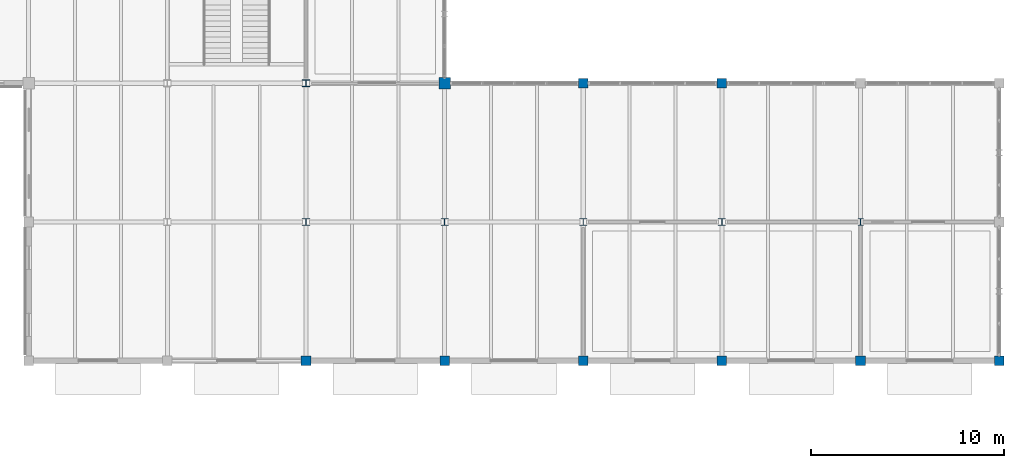
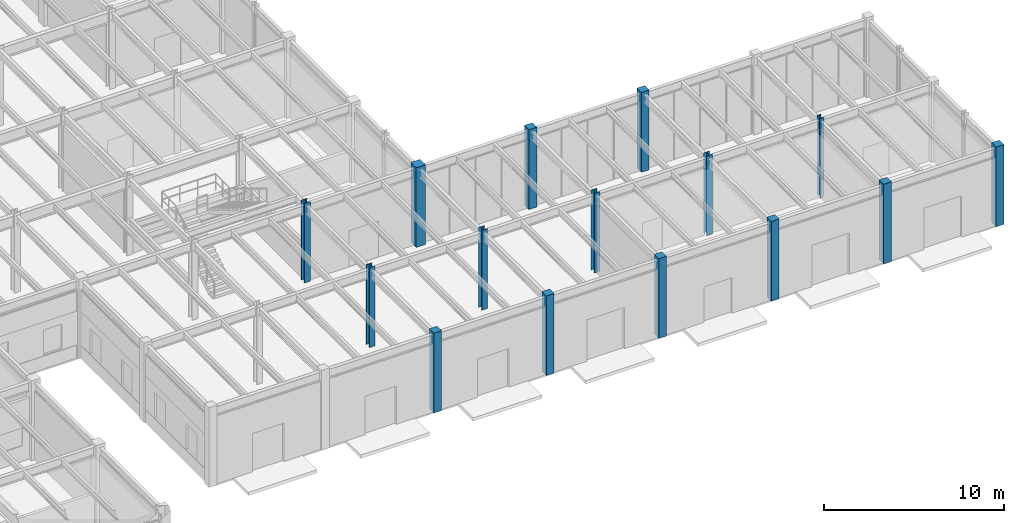
# One storey, part 15 of 97: 15 columns.
"""IFC4 building model written with IfcOpenShell, lengths in metres."""

from ifc_helpers import new_model, si_unit, direction, frame, origin, origin_2d, place, context, subcontext, project, spatial, rectangle, i_section, extrude, material, material_profile, profile_set, type_object, element, save


model = new_model("IFC4")

# Units and contexts
model_context = context("Model", 3, precision=1e-05, world=origin(), true_north=direction((0.0, 1.0)))
body_context = subcontext(model_context, "Body", "Model", "MODEL_VIEW")
ifc_project = project(units=[si_unit("LENGTHUNIT", "METRE"), si_unit("AREAUNIT", "SQUARE_METRE"), si_unit("VOLUMEUNIT", "CUBIC_METRE"), si_unit("PLANEANGLEUNIT", "RADIAN"), si_unit("MASSUNIT", "GRAM", prefix="KILO")], contexts=[model_context])

# Site, building, storey
site_placement = place(None, origin())
site = spatial("IfcSite", under=ifc_project, at=site_placement, CompositionType="ELEMENT")
building_placement = place(site_placement, origin())
building = spatial("IfcBuilding", under=site, at=building_placement, Name="Sillqori Civic Hall", CompositionType="ELEMENT")
storey_placement = place(building_placement, origin())
storey = spatial("IfcBuildingStorey", under=building, at=storey_placement, Name="L01", CompositionType="ELEMENT", Elevation=0.0)

# Columns
ifc_material_1 = material(Name="Concrete C35/45 (H35)", Category="concrete")
ifc_material_profile_1 = material_profile(ifc_material_1, rectangle(XDim=0.5, YDim=0.5, at=origin_2d()), Name="RC 500x500")
ifc_profile_set_1 = profile_set([ifc_material_profile_1], Name="Concrete C35/45 (H35)")
column_type_1 = type_object("IfcColumnType", Name="COL-RC500", PredefinedType="COLUMN", material=ifc_profile_set_1)
for number, where, z_axis, x_axis, name in (
    (1, (136.800048828125, 14.39990234375, 0.0), (0.0, 0.0, 1.0), (1.0, 0.0, 0.0), "L01 column 19-2"),
    (2, (144.0, 14.39990234375, 0.0), (0.0, 0.0, 1.0), (1.0, 0.0, 0.0), "L01 column 20-2"),
    (3, (151.199951171875, 14.39990234375, 0.0), (0.0, 0.0, 1.0), (1.0, 0.0, 0.0), "L01 column 21-2"),
    (4, (151.199951171875, 28.800048828125, 0.0), (0.0, 0.0, 1.0), (1.0, 0.0, 0.0), "L01 column 21-4"),
    (5, (158.39990234375, 14.39990234375, 0.0), (0.0, 0.0, 1.0), (1.0, 0.0, 0.0), "L01 column 22-2"),
    (6, (158.39990234375, 28.800048828125, 0.0), (0.0, 0.0, 1.0), (1.0, 0.0, 0.0), "L01 column 22-4"),
    (7, (165.60009765625, 14.39990234375, 0.0), (0.0, 0.0, 1.0), (1.0, 0.0, 0.0), "L01 column 23-2"),
    (8, (172.800048828125, 14.39990234375, 0.0), (0.0, 0.0, 1.0), (1.0, 0.0, 0.0), "L01 column 24-2"),
):
    element("IfcColumn", number, at=place(storey_placement, frame(where, z_axis=z_axis, x_axis=x_axis)), inside=storey, type_object=column_type_1, Name=name, PredefinedType="COLUMN", context=body_context, shape_type="SweptSolid", body=[
        extrude(rectangle(XDim=0.5, YDim=0.5, at=origin_2d()), origin(), (0.0, 0.0, 1.0), 5.39990234375),
    ])
ifc_material_profile_2 = material_profile(ifc_material_1, rectangle(XDim=0.60009765625, YDim=0.60009765625, at=origin_2d()), Name="RC 600x600")
ifc_profile_set_2 = profile_set([ifc_material_profile_2], Name="Concrete C35/45 (H35)")
column_type_2 = type_object("IfcColumnType", Name="COL-RC600", PredefinedType="COLUMN", material=ifc_profile_set_2)
column_1_placement = place(storey_placement, frame((144.0, 28.800048828125, 0.0), z_axis=(0.0, 0.0, 1.0), x_axis=(1.0, 0.0, 0.0)))
element("IfcColumn", 9, at=column_1_placement, inside=storey, type_object=column_type_2, Name="L01 column 20-4", PredefinedType="COLUMN", context=body_context, shape_type="SweptSolid", body=[
    extrude(rectangle(XDim=0.60009765625, YDim=0.60009765625, at=origin_2d()), origin(), (0.0, 0.0, 1.0), 5.39990234375),
])
ifc_material_2 = material(Name="Steel ASTM A992", Category="steel")
ifc_material_profile_3 = material_profile(ifc_material_2, i_section(OverallWidth=0.373046875, OverallDepth=0.367919921875, WebThickness=0.014892578125, FlangeThickness=0.02392578125, FilletRadius=0.014892578125, at=origin_2d()), Name="W14X120")
ifc_profile_set_3 = profile_set([ifc_material_profile_3], Name="Steel ASTM A992")
column_type_3 = type_object("IfcColumnType", Name="COL-W14X120", PredefinedType="COLUMN", material=ifc_profile_set_3)
column_2_placement = place(storey_placement, frame((136.800048828125, 28.800048828125, 0.0), z_axis=(0.0, 0.0, 1.0), x_axis=(1.0, 0.0, 0.0)))
element("IfcColumn", 10, at=column_2_placement, inside=storey, type_object=column_type_3, Name="L01 column 19-4", PredefinedType="COLUMN", context=body_context, shape_type="SweptSolid", body=[
    extrude(i_section(OverallWidth=0.373046875, OverallDepth=0.367919921875, WebThickness=0.014892578125, FlangeThickness=0.02392578125, FilletRadius=0.014892578125, at=origin_2d()), origin(), (0.0, 0.0, 1.0), 5.39990234375),
])
ifc_material_profile_4 = material_profile(ifc_material_2, i_section(OverallWidth=0.257080078125, OverallDepth=0.363037109375, WebThickness=0.012939453125, FlangeThickness=0.021728515625, FilletRadius=0.014892578125, at=origin_2d()), Name="W14X82")
ifc_profile_set_4 = profile_set([ifc_material_profile_4], Name="Steel ASTM A992")
column_type_4 = type_object("IfcColumnType", Name="COL-W14X82", PredefinedType="COLUMN", material=ifc_profile_set_4)
column_3_placement = place(storey_placement, frame((165.60009765625, 21.60009765625, 0.0), z_axis=(0.0, 0.0, 1.0), x_axis=(1.0, 0.0, 0.0)))
element("IfcColumn", 11, at=column_3_placement, inside=storey, type_object=column_type_4, Name="L01 column 23-3", PredefinedType="COLUMN", context=body_context, shape_type="SweptSolid", body=[
    extrude(i_section(OverallWidth=0.257080078125, OverallDepth=0.363037109375, WebThickness=0.012939453125, FlangeThickness=0.021728515625, FilletRadius=0.014892578125, at=origin_2d()), origin(), (0.0, 0.0, 1.0), 5.39990234375),
])
ifc_material_profile_5 = material_profile(ifc_material_2, i_section(OverallWidth=0.37109375, OverallDepth=0.361083984375, WebThickness=0.012451171875, FlangeThickness=0.019775390625, FilletRadius=0.014892578125, at=origin_2d()), Name="W14X99")
ifc_profile_set_5 = profile_set([ifc_material_profile_5], Name="Steel ASTM A992")
column_type_5 = type_object("IfcColumnType", Name="COL-W14X99", PredefinedType="COLUMN", material=ifc_profile_set_5)
for number, where, z_axis, x_axis, name in (
    (12, (136.800048828125, 21.60009765625, 0.0), (0.0, 0.0, 1.0), (1.0, 0.0, 0.0), "L01 column 19-3"),
    (13, (144.0, 21.60009765625, 0.0), (0.0, 0.0, 1.0), (1.0, 0.0, 0.0), "L01 column 20-3"),
    (14, (151.199951171875, 21.60009765625, 0.0), (0.0, 0.0, 1.0), (1.0, 0.0, 0.0), "L01 column 21-3"),
    (15, (158.39990234375, 21.60009765625, 0.0), (0.0, 0.0, 1.0), (1.0, 0.0, 0.0), "L01 column 22-3"),
):
    element("IfcColumn", number, at=place(storey_placement, frame(where, z_axis=z_axis, x_axis=x_axis)), inside=storey, type_object=column_type_5, Name=name, PredefinedType="COLUMN", context=body_context, shape_type="SweptSolid", body=[
        extrude(i_section(OverallWidth=0.37109375, OverallDepth=0.361083984375, WebThickness=0.012451171875, FlangeThickness=0.019775390625, FilletRadius=0.014892578125, at=origin_2d()), origin(), (0.0, 0.0, 1.0), 5.39990234375),
    ])

save(model, "model.ifc")
